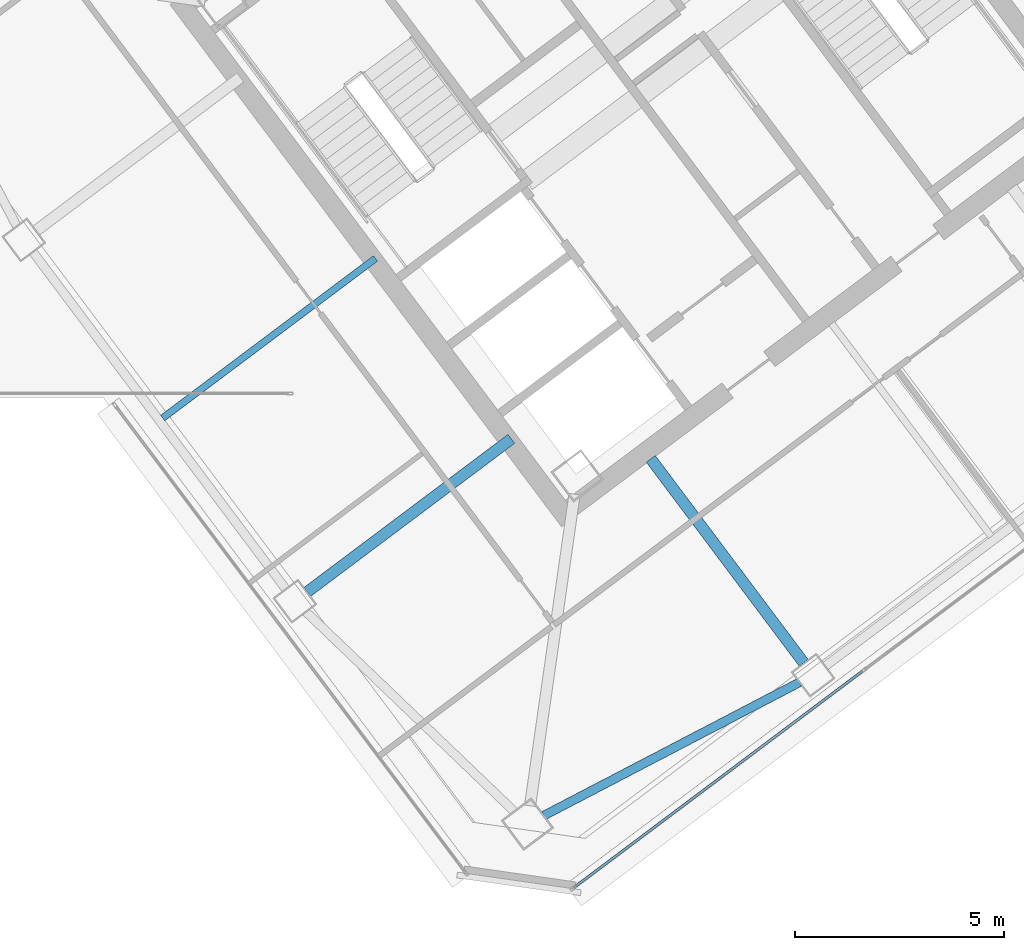
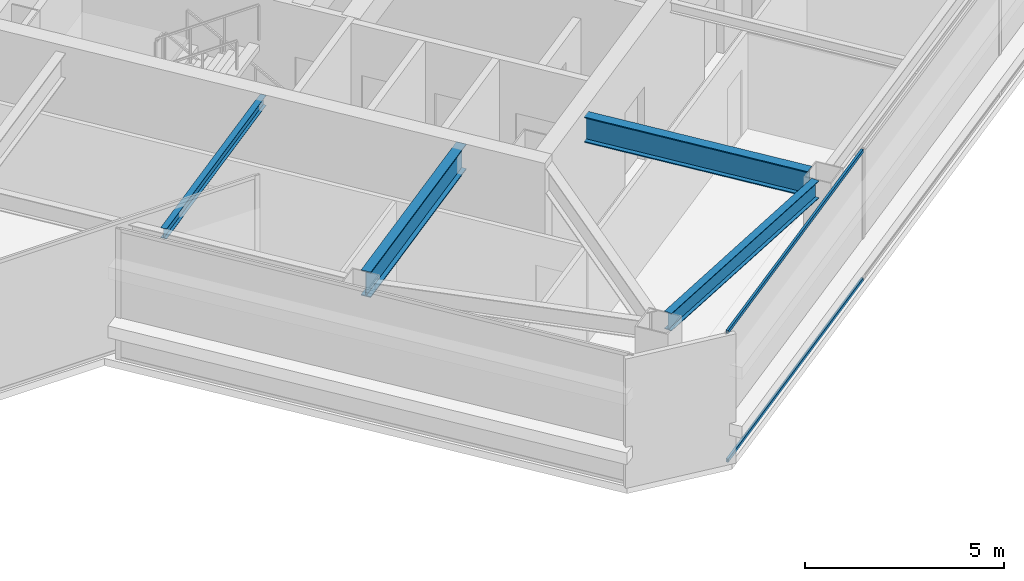
# One storey, part 32 of 53: 4 beams, 2 members, 1 element without a shape of its own.
"""IFC4 building model written with IfcOpenShell, lengths in metres."""

from ifc_helpers import new_model, si_unit, direction, frame, origin, origin_2d, place, context, subcontext, project, spatial, hollow_rectangle, i_section, extrude, material, material_profile, profile_set, type_object, element, aggregate, save


model = new_model("IFC4")

# Units and contexts
model_context = context("Model", 3, precision=1e-05, world=origin(), true_north=direction((0.0, 1.0)))
body_context = subcontext(model_context, "Body", "Model", "MODEL_VIEW")
ifc_project = project(units=[si_unit("LENGTHUNIT", "METRE"), si_unit("AREAUNIT", "SQUARE_METRE"), si_unit("VOLUMEUNIT", "CUBIC_METRE"), si_unit("PLANEANGLEUNIT", "RADIAN"), si_unit("MASSUNIT", "GRAM", prefix="KILO")], contexts=[model_context])

# Site, building, storey
site_placement = place(None, origin())
site = spatial("IfcSite", under=ifc_project, at=site_placement, CompositionType="ELEMENT")
building_placement = place(site_placement, origin())
building = spatial("IfcBuilding", under=site, at=building_placement, Name="Tashvorn Skyway Center", CompositionType="ELEMENT")
storey_placement = place(building_placement, frame((0.0, 0.0, 255.39990234375)))
storey = spatial("IfcBuildingStorey", under=building, at=storey_placement, Name="L69", CompositionType="ELEMENT", Elevation=255.39990234375)

# Beams
ifc_material_1 = material(Name="Steel ASTM A992 Grade 50", Category="steel")
ifc_material_profile_1 = material_profile(ifc_material_1, i_section(OverallWidth=0.26708984375, OverallDepth=0.779052734375, WebThickness=0.0166015625, FlangeThickness=0.030029296875, at=origin_2d()), Name="W30X148")
ifc_profile_set_1 = profile_set([ifc_material_profile_1], Name="Steel ASTM A992 Grade 50")
beam_type_1 = type_object("IfcBeamType", Name="BM-BEAM-W30X148", PredefinedType="BEAM", material=ifc_profile_set_1)
for number, where, z_axis, x_axis, name in (
    (1, (118.008056640625, 17.656005859375, 3.390625), (-0.600025614447, 0.799980788524, 0.0), (-0.799980788524, -0.600025614447, 0.0), "Tower 2 L69 Primary Floor Girder FC-S1"),
    (2, (106.135986328125, 19.35205078125, 3.390625), (0.800014407953, 0.599980788915, 0.0), (-0.599980788915, 0.800014407953, 0.0), "Tower 2 L69 Primary Floor Girder FC-W2"),
):
    element("IfcBeam", number, at=place(storey_placement, frame(where, z_axis=z_axis, x_axis=x_axis)), inside=storey, type_object=beam_type_1, Name=name, PredefinedType="BEAM", context=body_context, shape_type="SweptSolid", body=[
        extrude(i_section(OverallWidth=0.26708984375, OverallDepth=0.779052734375, WebThickness=0.0166015625, FlangeThickness=0.030029296875, at=origin_2d()), origin(), (0.0, 0.0, 1.0), 6.10009765625),
    ])
ifc_material_profile_2 = material_profile(ifc_material_1, i_section(OverallWidth=0.1650390625, OverallDepth=0.31005859375, WebThickness=0.005859375, FlangeThickness=0.009765625, at=origin_2d()), Name="W12X26")
ifc_profile_set_2 = profile_set([ifc_material_profile_2], Name="Steel ASTM A992 Grade 50")
beam_type_2 = type_object("IfcBeamType", Name="BM-JOIST-W12X26", PredefinedType="JOIST", material=ifc_profile_set_2)
beam_1_placement = place(storey_placement, frame((107.76806640625, 27.325927734375, 3.625), z_axis=(-0.800013813639, -0.599981581373, 0.0), x_axis=(0.599981581373, -0.800013813639, 0.0)))
element("IfcBeam", 3, at=beam_1_placement, inside=storey, type_object=beam_type_2, Name="Tower 2 L69 Secondary Composite Joist JW", PredefinedType="JOIST", context=body_context, shape_type="SweptSolid", body=[
    extrude(i_section(OverallWidth=0.1650390625, OverallDepth=0.31005859375, WebThickness=0.005859375, FlangeThickness=0.009765625, at=origin_2d()), origin(), (0.0, 0.0, 1.0), 6.362548828125),
])
ifc_material_profile_3 = material_profile(ifc_material_1, i_section(OverallWidth=0.2109375, OverallDepth=0.5390625, WebThickness=0.01171875, FlangeThickness=0.018798828125, at=origin_2d()), Name="W21X73")
ifc_profile_set_3 = profile_set([ifc_material_profile_3], Name="Steel ASTM A992 Grade 50")
beam_type_3 = type_object("IfcBeamType", Name="BM-SPANDREL-W21X73", PredefinedType="SPANDREL", material=ifc_profile_set_3)
beam_2_placement = place(storey_placement, frame((111.794677734375, 14.005615234375, 3.510498046875), z_axis=(0.886763659136, 0.462223120187, 0.0), x_axis=(-0.462223120187, 0.886763659136, 0.0)))
element("IfcBeam", 4, at=beam_2_placement, inside=storey, type_object=beam_type_3, Name="Tower 2 L69 Spandrel Beam 01", PredefinedType="SPANDREL", context=body_context, shape_type="SweptSolid", body=[
    extrude(i_section(OverallWidth=0.2109375, OverallDepth=0.5390625, WebThickness=0.01171875, FlangeThickness=0.018798828125, at=origin_2d()), origin(), (0.0, 0.0, 1.0), 6.886962890625),
])

# Curtain wall, members
ifc_material_2 = material(Name="Thermally broken bronze-anodized aluminium 6063-T6", Category="aluminium")
curtain_wall_type = type_object("IfcCurtainWallType", Name="CW-CW-SKY", PredefinedType="NOTDEFINED", material=ifc_material_2)
curtain_wall_placement = place(storey_placement, origin())
curtain_wall = element("IfcCurtainWall", 5, at=curtain_wall_placement, inside=storey, type_object=curtain_wall_type, Name="Tower 2 L69 South Unitised Curtain Wall", PredefinedType="NOTDEFINED")
ifc_material_profile_4 = material_profile(ifc_material_2, hollow_rectangle(XDim=0.06494140625, YDim=0.10498046875, WallThickness=0.00390625, at=origin_2d()), Name="ALU-TRAN-65x105")
ifc_profile_set_4 = profile_set([ifc_material_profile_4], Name="Thermally broken bronze-anodized aluminium 6063-T6")
member_type = type_object("IfcMemberType", Name="CWT-CW-SKY", PredefinedType="USERDEFINED", material=ifc_profile_set_4)
member_1_placement = place(storey_placement, frame((119.4140625, 17.46044921875, 0.03271484375), z_axis=(-0.800006795504, -0.599990939221, 0.0), x_axis=(0.599990939221, -0.800006795504, 0.0)))
member_1 = element("IfcMember", 6, at=member_1_placement, type_object=member_type, Name="CW-SKY transom 3.1", ObjectType="TRANSOM", PredefinedType="USERDEFINED", context=body_context, shape_type="SweptSolid", body=[
    extrude(hollow_rectangle(XDim=0.06494140625, YDim=0.10498046875, WallThickness=0.00390625, at=origin_2d()), origin(), (0.0, 0.0, 1.0), 8.622314453125),
])
member_2_placement = place(storey_placement, frame((119.4140625, 17.46044921875, 3.967529296875), z_axis=(-0.800006795504, -0.599990939221, 0.0), x_axis=(0.599990939221, -0.800006795504, 0.0)))
member_2 = element("IfcMember", 7, at=member_2_placement, type_object=member_type, Name="CW-SKY transom 3.2", ObjectType="TRANSOM", PredefinedType="USERDEFINED", context=body_context, shape_type="SweptSolid", body=[
    extrude(hollow_rectangle(XDim=0.06494140625, YDim=0.10498046875, WallThickness=0.00390625, at=origin_2d()), origin(), (0.0, 0.0, 1.0), 8.622314453125),
])
aggregate(curtain_wall, [member_1, member_2])

save(model, "model.ifc")
